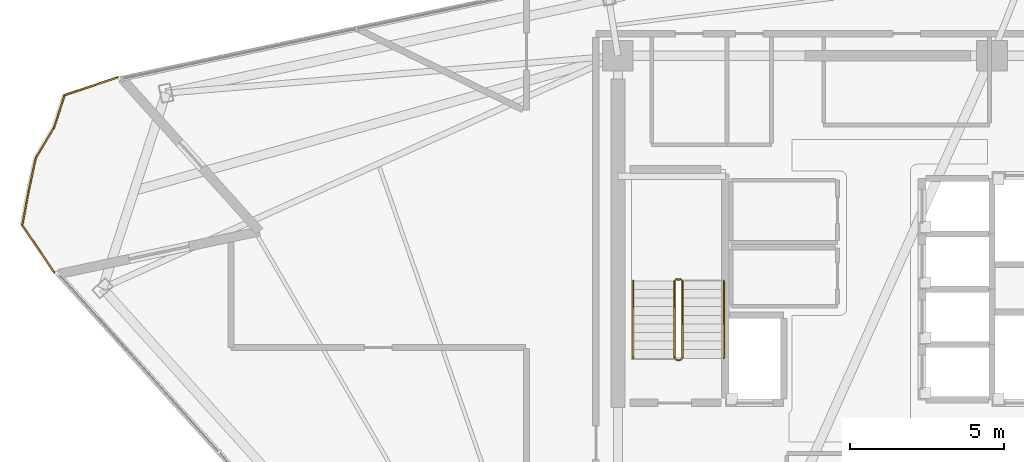
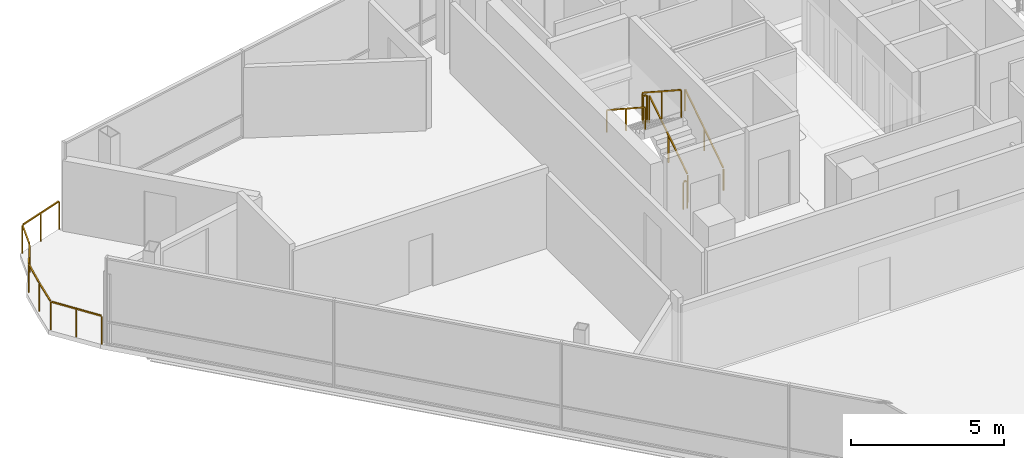
# One storey, part 14 of 15: 7 railings.
"""IFC4 building model written with IfcOpenShell, lengths in metres."""

from ifc_helpers import new_model, si_unit, direction, frame, origin, origin_2d, place, context, subcontext, project, spatial, rectangle, extrude, material, type_object, element, save


model = new_model("IFC4")

# Units and contexts
model_context = context("Model", 3, precision=1e-05, world=origin(), true_north=direction((0.0, 1.0)))
body_context = subcontext(model_context, "Body", "Model", "MODEL_VIEW")
ifc_project = project(units=[si_unit("LENGTHUNIT", "METRE"), si_unit("AREAUNIT", "SQUARE_METRE"), si_unit("VOLUMEUNIT", "CUBIC_METRE"), si_unit("PLANEANGLEUNIT", "RADIAN"), si_unit("MASSUNIT", "GRAM", prefix="KILO")], contexts=[model_context])

# Site, building, storey
site_placement = place(None, origin())
site = spatial("IfcSite", under=ifc_project, at=site_placement, CompositionType="ELEMENT")
building_placement = place(site_placement, origin())
building = spatial("IfcBuilding", under=site, at=building_placement, Name="Tharavind Bronze Gate", CompositionType="ELEMENT")
storey_placement = place(building_placement, frame((0.0, 0.0, 283.39990234375)))
storey = spatial("IfcBuildingStorey", under=building, at=storey_placement, Name="L73", CompositionType="ELEMENT", Elevation=283.39990234375)

# Railings
ifc_material_1 = material(Name="Brushed Bronze Alloy", Category="metal")
railing_type_1 = type_object("IfcRailingType", Name="STAIR BRONZE HANDRAIL 900", PredefinedType="HANDRAIL", material=ifc_material_1)
railing_1_placement = place(storey_placement, frame((-5.449951171875, -2.25, 0.1826171875)))
element("IfcRailing", 1, at=railing_1_placement, inside=storey, type_object=railing_type_1, Name="L73 ST1 stair handrail 1", PredefinedType="HANDRAIL", context=body_context, shape_type="SweptSolid", body=[
    extrude(rectangle(XDim=0.048095703125, YDim=0.048095703125, at=origin_2d()), frame((0.0, 0.02685546875, 0.893310546875), z_axis=(0.0, 0.837749427056, 0.546054848405), x_axis=(-1.0, 0.0, 0.0)), (0.0, 0.0, 1.0), 2.944091796875),
    extrude(rectangle(XDim=0.0400390625, YDim=0.0400390625, at=origin_2d()), origin(), (0.0, 0.0, 1.0), 0.847900390625),
    extrude(rectangle(XDim=0.0400390625, YDim=0.0400390625, at=origin_2d()), frame((0.0, 1.260009765625, 0.8212890625)), (0.0, 0.0, 1.0), 0.847900390625),
    extrude(rectangle(XDim=0.0400390625, YDim=0.0400390625, at=origin_2d()), frame((0.0, 2.52001953125, 1.642578125)), (0.0, 0.0, 1.0), 0.847900390625),
])
railing_2_placement = place(storey_placement, frame((-8.39990234375, 0.27001953125, 2.007568359375)))
element("IfcRailing", 2, at=railing_2_placement, inside=storey, type_object=railing_type_1, Name="L73 ST1 stair handrail 2", PredefinedType="HANDRAIL", context=body_context, shape_type="SweptSolid", body=[
    extrude(rectangle(XDim=0.048095703125, YDim=0.048095703125, at=origin_2d()), frame((0.0, -0.02685546875, 0.893310546875), z_axis=(0.0, -0.837749427056, 0.546054848405), x_axis=(1.0, 0.0, 0.0)), (0.0, 0.0, 1.0), 2.944091796875),
    extrude(rectangle(XDim=0.0400390625, YDim=0.0400390625, at=origin_2d()), origin(), (0.0, 0.0, 1.0), 0.847900390625),
    extrude(rectangle(XDim=0.0400390625, YDim=0.0400390625, at=origin_2d()), frame((0.0, -1.260009765625, 0.8212890625)), (0.0, 0.0, 1.0), 0.847900390625),
    extrude(rectangle(XDim=0.0400390625, YDim=0.0400390625, at=origin_2d()), frame((0.0, -2.52001953125, 1.642578125)), (0.0, 0.0, 1.0), 0.847900390625),
])
railing_type_2 = type_object("IfcRailingType", Name="STAIR WELL GUARD RAILING 1120", PredefinedType="GUARDRAIL", material=ifc_material_1)
railing_3_placement = place(storey_placement, frame((-6.800048828125, -2.25, 0.1826171875)))
element("IfcRailing", 3, at=railing_3_placement, inside=storey, type_object=railing_type_2, Name="L73 ST1 stair guard 1", PredefinedType="GUARDRAIL", context=body_context, shape_type="SweptSolid", body=[
    extrude(rectangle(XDim=0.048095703125, YDim=0.048095703125, at=origin_2d()), frame((0.0, 0.02685546875, 1.113525390625), z_axis=(0.0, 0.837749427056, 0.546054848405), x_axis=(-1.0, 0.0, 0.0)), (0.0, 0.0, 1.0), 2.944091796875),
    extrude(rectangle(XDim=0.0400390625, YDim=0.0400390625, at=origin_2d()), origin(), (0.0, 0.0, 1.0), 1.068115234375),
    extrude(rectangle(XDim=0.0400390625, YDim=0.0400390625, at=origin_2d()), frame((0.0, 1.260009765625, 0.8212890625)), (0.0, 0.0, 1.0), 1.068115234375),
    extrude(rectangle(XDim=0.0400390625, YDim=0.0400390625, at=origin_2d()), frame((0.0, 2.52001953125, 1.642578125)), (0.0, 0.0, 1.0), 1.068115234375),
])
railing_4_placement = place(storey_placement, frame((-6.85009765625, 0.320068359375, 1.8251953125)))
element("IfcRailing", 4, at=railing_4_placement, inside=storey, type_object=railing_type_2, Name="L73 ST1 stair guard 2", PredefinedType="GUARDRAIL", context=body_context, shape_type="SweptSolid", body=[
    extrude(rectangle(XDim=0.048095703125, YDim=0.048095703125, at=origin_2d()), frame((-0.031982421875, 0.0, 1.09619140625), z_axis=(-1.0, 0.0, 0.0), x_axis=(0.0, -1.0, 0.0)), (0.0, 0.0, 1.0), 0.0859375),
    extrude(rectangle(XDim=0.0400390625, YDim=0.0400390625, at=origin_2d()), origin(), (0.0, 0.0, 1.0), 1.068115234375),
    extrude(rectangle(XDim=0.0400390625, YDim=0.0400390625, at=origin_2d()), frame((-0.14990234375, 0.0, 0.0)), (0.0, 0.0, 1.0), 1.068115234375),
])
railing_5_placement = place(storey_placement, frame((-7.050048828125, 0.27001953125, 2.007568359375)))
element("IfcRailing", 5, at=railing_5_placement, inside=storey, type_object=railing_type_2, Name="L73 ST1 stair guard 3", PredefinedType="GUARDRAIL", context=body_context, shape_type="SweptSolid", body=[
    extrude(rectangle(XDim=0.048095703125, YDim=0.048095703125, at=origin_2d()), frame((0.0, -0.02685546875, 1.113525390625), z_axis=(0.0, -0.837749427056, 0.546054848405), x_axis=(1.0, 0.0, 0.0)), (0.0, 0.0, 1.0), 2.944091796875),
    extrude(rectangle(XDim=0.0400390625, YDim=0.0400390625, at=origin_2d()), origin(), (0.0, 0.0, 1.0), 1.068115234375),
    extrude(rectangle(XDim=0.0400390625, YDim=0.0400390625, at=origin_2d()), frame((0.0, -1.260009765625, 0.8212890625)), (0.0, 0.0, 1.0), 1.068115234375),
    extrude(rectangle(XDim=0.0400390625, YDim=0.0400390625, at=origin_2d()), frame((0.0, -2.52001953125, 1.642578125)), (0.0, 0.0, 1.0), 1.068115234375),
])
railing_6_placement = place(storey_placement, frame((-6.85009765625, -2.300048828125, 0.0)))
element("IfcRailing", 6, at=railing_6_placement, inside=storey, type_object=railing_type_2, Name="L73 ST1 stair guard 4", PredefinedType="GUARDRAIL", context=body_context, shape_type="SweptSolid", body=[
    extrude(rectangle(XDim=0.048095703125, YDim=0.048095703125, at=origin_2d()), frame((-0.031982421875, 0.0, 1.09619140625), z_axis=(-1.0, 0.0, 0.0), x_axis=(0.0, -1.0, 0.0)), (0.0, 0.0, 1.0), 0.0859375),
    extrude(rectangle(XDim=0.0400390625, YDim=0.0400390625, at=origin_2d()), origin(), (0.0, 0.0, 1.0), 1.068115234375),
    extrude(rectangle(XDim=0.0400390625, YDim=0.0400390625, at=origin_2d()), frame((-0.14990234375, 0.0, 0.0)), (0.0, 0.0, 1.0), 1.068115234375),
])
ifc_material_2 = material(Name="Bronze Cap & Laminated Glass", Category="glass")
railing_type_3 = type_object("IfcRailingType", Name="TERRACE GLASS GUARD RAILING 1150", PredefinedType="GUARDRAIL", material=ifc_material_2)
railing_7_placement = place(storey_placement, frame((-27.257568359375, 0.544677734375, 0.0)))
element("IfcRailing", 7, at=railing_7_placement, inside=storey, type_object=railing_type_3, Name="L73 tree balcony guard railing", PredefinedType="GUARDRAIL", context=body_context, shape_type="SweptSolid", body=[
    extrude(rectangle(XDim=0.048095703125, YDim=0.048095703125, at=origin_2d()), frame((-0.017822265625, 0.026611328125, 1.1259765625), z_axis=(-0.558006967266, 0.829836263658, 0.0), x_axis=(-0.829836263658, -0.558006967266, 0.0)), (0.0, 0.0, 1.0), 1.790771484375),
    extrude(rectangle(XDim=0.048095703125, YDim=0.048095703125, at=origin_2d()), frame((-1.029052734375, 1.570556640625, 1.1259765625), z_axis=(0.181084966823, 0.983467454871, 0.0), x_axis=(-0.983467454871, 0.181084966823, 0.0)), (0.0, 0.0, 1.0), 1.05908203125),
    extrude(rectangle(XDim=0.048095703125, YDim=0.048095703125, at=origin_2d()), frame((-0.82470703125, 2.6748046875, 1.1259765625), z_axis=(0.212076358892, 0.977253098229, 0.0), x_axis=(-0.977253098229, 0.212076358892, 0.0)), (0.0, 0.0, 1.0), 1.054931640625),
    extrude(rectangle(XDim=0.048095703125, YDim=0.048095703125, at=origin_2d()), frame((-0.57763671875, 3.764404296875, 1.1259765625), z_axis=(0.517193856548, 0.855868281191, 0.0), x_axis=(-0.855868281191, 0.517193856548, 0.0)), (0.0, 0.0, 1.0), 1.079345703125),
    extrude(rectangle(XDim=0.048095703125, YDim=0.048095703125, at=origin_2d()), frame((0.007080078125, 4.74609375, 1.1259765625), z_axis=(0.309180276792, 0.951003447125, 0.0), x_axis=(-0.951003447125, 0.309180276792, 0.0)), (0.0, 0.0, 1.0), 1.04931640625),
    extrude(rectangle(XDim=0.048095703125, YDim=0.048095703125, at=origin_2d()), frame((0.37158203125, 5.78466796875, 1.1259765625), z_axis=(0.947982555564, 0.31832228063, 0.0), x_axis=(-0.31832228063, 0.947982555564, 0.0)), (0.0, 0.0, 1.0), 1.753662109375),
    extrude(rectangle(XDim=0.0400390625, YDim=0.0400390625, at=origin_2d()), origin(), (0.0, 0.0, 1.0), 1.097900390625),
    extrude(rectangle(XDim=0.0400390625, YDim=0.0400390625, at=origin_2d()), frame((-0.517578125, 0.76953125, 0.0)), (0.0, 0.0, 1.0), 1.097900390625),
    extrude(rectangle(XDim=0.0400390625, YDim=0.0400390625, at=origin_2d()), frame((-1.034912109375, 1.5390625, 0.0)), (0.0, 0.0, 1.0), 1.097900390625),
    extrude(rectangle(XDim=0.0400390625, YDim=0.0400390625, at=origin_2d()), frame((-0.83154296875, 2.6435546875, 0.0)), (0.0, 0.0, 1.0), 1.097900390625),
    extrude(rectangle(XDim=0.0400390625, YDim=0.0400390625, at=origin_2d()), frame((-0.59423828125, 3.737060546875, 0.0)), (0.0, 0.0, 1.0), 1.097900390625),
    extrude(rectangle(XDim=0.0400390625, YDim=0.0400390625, at=origin_2d()), frame((-0.0029296875, 4.715576171875, 0.0)), (0.0, 0.0, 1.0), 1.097900390625),
    extrude(rectangle(XDim=0.0400390625, YDim=0.0400390625, at=origin_2d()), frame((0.34130859375, 5.7744140625, 0.0)), (0.0, 0.0, 1.0), 1.097900390625),
    extrude(rectangle(XDim=0.0400390625, YDim=0.0400390625, at=origin_2d()), frame((1.202880859375, 6.063720703125, 0.0)), (0.0, 0.0, 1.0), 1.097900390625),
    extrude(rectangle(XDim=0.0400390625, YDim=0.0400390625, at=origin_2d()), frame((2.064453125, 6.35302734375, 0.0)), (0.0, 0.0, 1.0), 1.097900390625),
])

save(model, "model.ifc")
